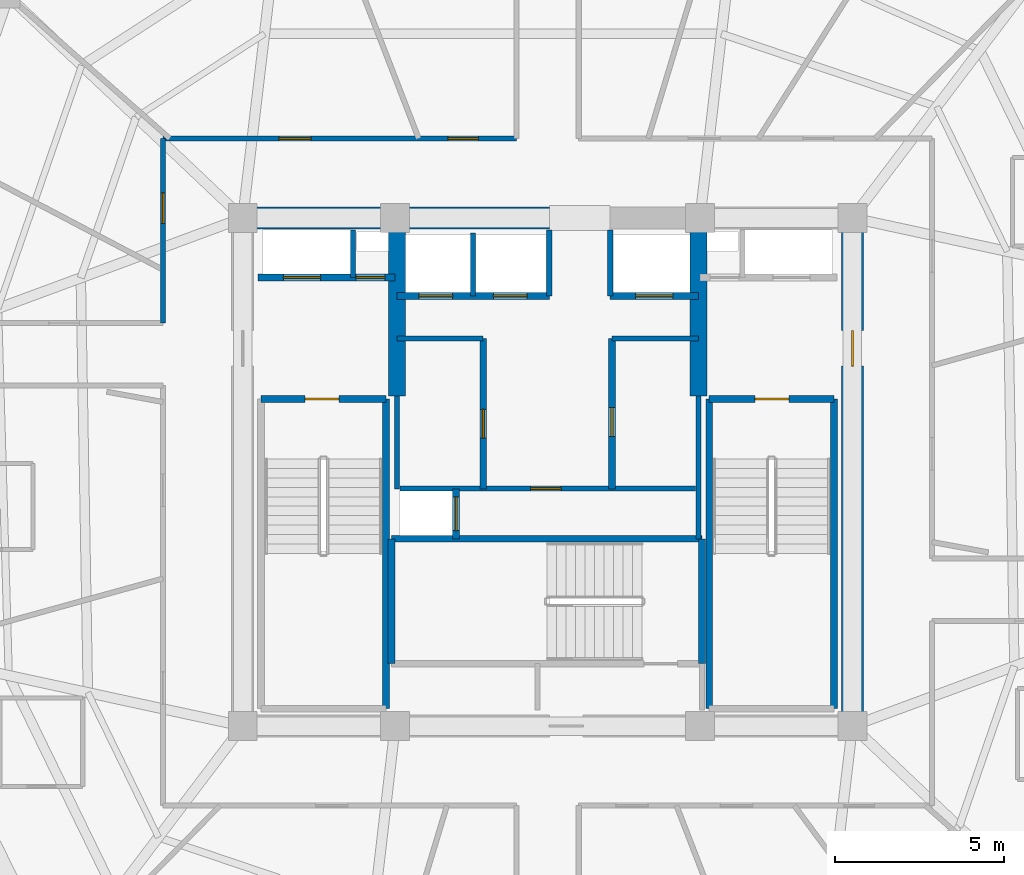
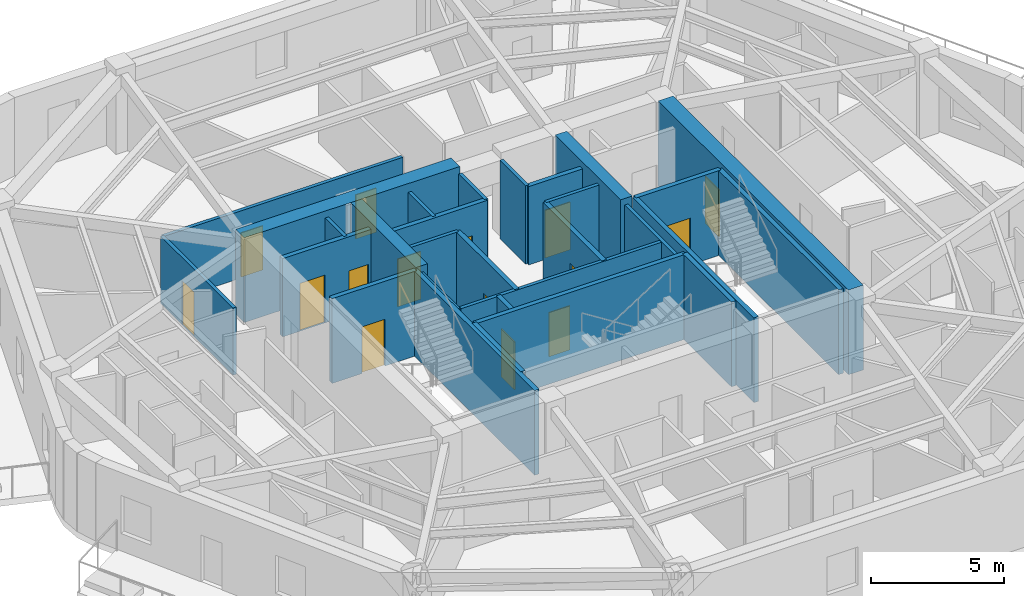
# One storey, part 4 of 9: 29 walls, 15 doors, 15 openings.
"""IFC4 building model written with IfcOpenShell, lengths in metres."""

from ifc_helpers import new_model, si_unit, direction, frame, frame_2d, origin, place, context, subcontext, project, spatial, rectangle, extrude, material, layer, layer_set, type_object, element, fill, save


model = new_model("IFC4")

# Units and contexts
model_context = context("Model", 3, precision=1e-05, world=origin(), true_north=direction((0.0, 1.0)))
body_context = subcontext(model_context, "Body", "Model", "MODEL_VIEW")
ifc_project = project(units=[si_unit("LENGTHUNIT", "METRE"), si_unit("AREAUNIT", "SQUARE_METRE"), si_unit("VOLUMEUNIT", "CUBIC_METRE"), si_unit("PLANEANGLEUNIT", "RADIAN"), si_unit("MASSUNIT", "GRAM", prefix="KILO")], contexts=[model_context])

# Site, building, storey
site_placement = place(None, origin())
site = spatial("IfcSite", under=ifc_project, at=site_placement, CompositionType="ELEMENT")
building_placement = place(site_placement, origin())
building = spatial("IfcBuilding", under=site, at=building_placement, Name="Kilnhurst Terrace Hotel", CompositionType="ELEMENT")
storey_placement = place(building_placement, frame((0.0, 0.0, 276.89990234375)))
storey = spatial("IfcBuildingStorey", under=building, at=storey_placement, Name="L69", CompositionType="ELEMENT", Elevation=276.89990234375)

# Wall, opening, door
ifc_material_1 = material(Name="Acoustic Double-Gypsum Corridor Partition Assembly")
ifc_layer_1 = layer(ifc_material_1, 0.14990234375, Name="Acoustic Double-Gypsum Corridor Partition Assembly")
ifc_layer_set_1 = layer_set([ifc_layer_1], Name="Acoustic Double-Gypsum Corridor Partition Assembly")
wall_type_1 = type_object("IfcWallType", Name="WL-COR-150", PredefinedType="PARTITIONING", material=ifc_layer_set_1)
wall_1_placement = place(storey_placement, frame((-11.35009765625, 4.39990234375, 0.0), z_axis=(0.0, 0.0, 1.0), x_axis=(0.0, 1.0, 0.0)))
wall_1 = element("IfcWall", 1, at=wall_1_placement, inside=storey, type_object=wall_type_1, Name="L69 Interior Wall WL-L69-COR-05", PredefinedType="PARTITIONING", context=body_context, shape_type="SweptSolid", body=[
    extrude(rectangle(XDim=5.4501953125, YDim=0.14990234375, at=frame_2d((2.72509765625, 0.0))), origin(), (0.0, 0.0, 1.0), 3.090087890625),
])
opening_1_placement = place(wall_1_placement, frame((2.93994140625, 0.0, 0.0)))
opening_1 = element("IfcOpeningElement", 2, at=opening_1_placement, cuts=wall_1, Name="Opening D-60C", PredefinedType="OPENING", context=body_context, shape_type="SweptSolid", body=[
    extrude(rectangle(XDim=0.89990234375, YDim=2.030029296875, at=frame_2d((0.449951171875, 1.01513671875))), frame((0.0, 0.0849609375, 0.0), z_axis=(0.0, -1.0, 0.0), x_axis=(1.0, 0.0, 0.0)), (0.0, 0.0, 1.0), 0.169921875),
])
ifc_material_2 = material(Name="Painted Solid-Core Service Fire Door")
door_type_1 = type_object("IfcDoorType", Name="DR-FD60-900", OperationType="NOTDEFINED", PredefinedType="DOOR", material=ifc_material_2)
door_1_placement = place(opening_1_placement, origin())
door_1 = element("IfcDoor", 3, at=door_1_placement, inside=storey, type_object=door_type_1, Name="L69 Botanical Reading Lounge Door 6", OperationType="SINGLE_SWING_RIGHT", OverallHeight=2.030029296875, OverallWidth=0.89990234375, PredefinedType="DOOR", context=body_context, shape_type="SweptSolid", body=[
    extrude(rectangle(XDim=0.89990234375, YDim=2.030029296875, at=frame_2d((0.449951171875, 1.01513671875))), frame((0.0, 0.02490234375, 0.0), z_axis=(0.0, -1.0, 0.0), x_axis=(1.0, 0.0, 0.0)), (0.0, 0.0, 1.0), 0.050048828125),
])
fill(opening_1, door_1)

# Wall, openings, doors
wall_2_placement = place(storey_placement, frame((-11.35009765625, 9.85009765625, 0.0), z_axis=(0.0, 0.0, 1.0), x_axis=(1.0, 0.0, 0.0)))
wall_2 = element("IfcWall", 4, at=wall_2_placement, inside=storey, type_object=wall_type_1, Name="L69 Interior Wall WL-L69-COR-06", PredefinedType="PARTITIONING", context=body_context, shape_type="SweptSolid", body=[
    extrude(rectangle(XDim=10.43017578125, YDim=0.14990234375, at=frame_2d((5.215087890625, 0.0))), origin(), (0.0, 0.0, 1.0), 3.090087890625),
])
opening_2_placement = place(wall_2_placement, frame((8.406982421875, 0.0, 0.0)))
opening_2 = element("IfcOpeningElement", 5, at=opening_2_placement, cuts=wall_2, Name="Opening D-60C", PredefinedType="OPENING", context=body_context, shape_type="SweptSolid", body=[
    extrude(rectangle(XDim=0.89990234375, YDim=2.030029296875, at=frame_2d((0.449951171875, 1.01513671875))), frame((0.0, 0.0849609375, 0.0), z_axis=(0.0, -1.0, 0.0), x_axis=(1.0, 0.0, 0.0)), (0.0, 0.0, 1.0), 0.169921875),
])
opening_3_placement = place(wall_2_placement, frame((3.416015625, 0.0, 0.0)))
opening_3 = element("IfcOpeningElement", 6, at=opening_3_placement, cuts=wall_2, Name="Opening D-60B", PredefinedType="OPENING", context=body_context, shape_type="SweptSolid", body=[
    extrude(rectangle(XDim=0.949951171875, YDim=2.030029296875, at=frame_2d((0.47509765625, 1.01513671875))), frame((0.0, 0.0849609375, 0.0), z_axis=(0.0, -1.0, 0.0), x_axis=(1.0, 0.0, 0.0)), (0.0, 0.0, 1.0), 0.169921875),
])
door_2_placement = place(opening_2_placement, origin())
door_2 = element("IfcDoor", 7, at=door_2_placement, inside=storey, type_object=door_type_1, Name="L69 Executive Work Office Door 4", OperationType="SINGLE_SWING_RIGHT", OverallHeight=2.030029296875, OverallWidth=0.89990234375, PredefinedType="DOOR", context=body_context, shape_type="SweptSolid", body=[
    extrude(rectangle(XDim=0.89990234375, YDim=2.030029296875, at=frame_2d((0.449951171875, 1.01513671875))), frame((0.0, 0.02490234375, 0.0), z_axis=(0.0, -1.0, 0.0), x_axis=(1.0, 0.0, 0.0)), (0.0, 0.0, 1.0), 0.050048828125),
])
fill(opening_2, door_2)
ifc_material_3 = material(Name="Acoustic Walnut Veneer Solid-Core Fire Door")
door_type_2 = type_object("IfcDoorType", Name="DR-FD60-950", OperationType="NOTDEFINED", PredefinedType="DOOR", material=ifc_material_3)
door_3_placement = place(opening_3_placement, origin())
door_3 = element("IfcDoor", 8, at=door_3_placement, inside=storey, type_object=door_type_2, Name="L69 Fitness Studio Door", OperationType="SINGLE_SWING_LEFT", OverallHeight=2.030029296875, OverallWidth=0.949951171875, PredefinedType="DOOR", context=body_context, shape_type="SweptSolid", body=[
    extrude(rectangle(XDim=0.949951171875, YDim=2.030029296875, at=frame_2d((0.47509765625, 1.01513671875))), frame((0.0, 0.02490234375, 0.0), z_axis=(0.0, -1.0, 0.0), x_axis=(1.0, 0.0, 0.0)), (0.0, 0.0, 1.0), 0.050048828125),
])
fill(opening_3, door_3)

# Wall
ifc_material_4 = material(Name="Concrete C60/75", Category="concrete")
ifc_layer_2 = layer(ifc_material_4, 0.64990234375, Name="Concrete C60/75")
ifc_layer_set_2 = layer_set([ifc_layer_2], Name="Concrete C60/75")
wall_type_2 = type_object("IfcWallType", Name="WL-CORE-650", PredefinedType="SHEAR", material=ifc_layer_set_2)
wall_3_placement = place(storey_placement, frame((-9.324951171875, 7.5, 0.0), z_axis=(0.0, 0.0, 1.0), x_axis=(1.0, 0.0, 0.0)))
element("IfcWall", 9, at=wall_3_placement, inside=storey, type_object=wall_type_2, Name="L69 Core North West Shear Wall", PredefinedType="SHEAR", context=body_context, shape_type="SweptSolid", body=[
    extrude(rectangle(XDim=9.375, YDim=0.64990234375, at=frame_2d((4.6875, 0.0))), origin(), (0.0, 0.0, 1.0), 3.900146484375),
])

# Wall, opening, door
wall_4_placement = place(storey_placement, frame((9.0, -7.175048828125, 0.0), z_axis=(0.0, 0.0, 1.0), x_axis=(0.0, 1.0, 0.0)))
wall_4 = element("IfcWall", 10, at=wall_4_placement, inside=storey, type_object=wall_type_2, Name="L69 Core East Shear Wall", PredefinedType="SHEAR", context=body_context, shape_type="SweptSolid", body=[
    extrude(rectangle(XDim=14.35009765625, YDim=0.64990234375, at=frame_2d((7.175048828125, 0.0))), origin(), (0.0, 0.0, 1.0), 3.900146484375),
])
opening_4_placement = place(wall_4_placement, frame((10.300048828125, 0.0, 0.0)))
opening_4 = element("IfcOpeningElement", 11, at=opening_4_placement, cuts=wall_4, Name="Opening D-90A", PredefinedType="OPENING", context=body_context, shape_type="SweptSolid", body=[
    extrude(rectangle(XDim=1.050048828125, YDim=2.14990234375, at=frame_2d((0.52490234375, 1.074951171875))), frame((0.0, 0.3349609375, 0.0), z_axis=(0.0, -1.0, 0.0), x_axis=(1.0, 0.0, 0.0)), (0.0, 0.0, 1.0), 0.669921875),
])
ifc_material_5 = material(Name="Painted Hollow Metal Steel ASTM A36 Fire Door", Category="steel")
door_type_3 = type_object("IfcDoorType", Name="DR-FD90-1050", OperationType="NOTDEFINED", PredefinedType="DOOR", material=ifc_material_5)
door_4_placement = place(opening_4_placement, origin())
door_4 = element("IfcDoor", 12, at=door_4_placement, inside=storey, type_object=door_type_3, Name="L69 East Firefighting Lobby Door", OperationType="SINGLE_SWING_LEFT", OverallHeight=2.14990234375, OverallWidth=1.050048828125, PredefinedType="DOOR", context=body_context, shape_type="SweptSolid", body=[
    extrude(rectangle(XDim=1.050048828125, YDim=2.14990234375, at=frame_2d((0.52490234375, 1.074951171875))), frame((0.0, 0.02490234375, 0.0), z_axis=(0.0, -1.0, 0.0), x_axis=(1.0, 0.0, 0.0)), (0.0, 0.0, 1.0), 0.050048828125),
])
fill(opening_4, door_4)

# Walls
ifc_layer_3 = layer(ifc_material_4, 0.5, Name="Concrete C60/75")
ifc_layer_set_3 = layer_set([ifc_layer_3], Name="Concrete C60/75")
wall_type_3 = type_object("IfcWallType", Name="WL-CORE-WEB-500", PredefinedType="SHEAR", material=ifc_layer_set_3)
for number, where, z_axis, x_axis, name in (
    (13, (-4.449951171875, 2.25, 0.0), (0.0, 0.0, 1.0), (0.0, 1.0, 0.0), "L69 Core Internal West Shear Web"),
    (14, (4.449951171875, 2.25, 0.0), (0.0, 0.0, 1.0), (0.0, 1.0, 0.0), "L69 Core Internal East Shear Web"),
):
    element("IfcWall", number, at=place(storey_placement, frame(where, z_axis=z_axis, x_axis=x_axis)), inside=storey, type_object=wall_type_3, Name=name, PredefinedType="SHEAR", context=body_context, shape_type="SweptSolid", body=[
        extrude(rectangle(XDim=4.925048828125, YDim=0.5, at=frame_2d((2.46240234375, 0.0))), origin(), (0.0, 0.0, 1.0), 3.900146484375),
    ])
ifc_material_6 = material(Name="Fire-Rated Gypsum Shaftliner Assembly")
ifc_layer_4 = layer(ifc_material_6, 0.14990234375, Name="Fire-Rated Gypsum Shaftliner Assembly")
ifc_layer_set_4 = layer_set([ifc_layer_4], Name="Fire-Rated Gypsum Shaftliner Assembly")
wall_type_4 = type_object("IfcWallType", Name="WL-SHAFT-150", PredefinedType="PARTITIONING", material=ifc_layer_set_4)
wall_5_placement = place(storey_placement, frame((-5.75, 5.739990234375, 0.0), z_axis=(0.0, 0.0, 1.0), x_axis=(0.0, 1.0, 0.0)))
element("IfcWall", 15, at=wall_5_placement, inside=storey, type_object=wall_type_4, Name="L69 Interior Wall WL-L69-RIS1-DIV", PredefinedType="PARTITIONING", context=body_context, shape_type="SweptSolid", body=[
    extrude(rectangle(XDim=1.409912109375, YDim=0.14990234375, at=frame_2d((0.705078125, 0.0))), origin(), (0.0, 0.0, 1.0), 3.60009765625),
])
wall_6_placement = place(storey_placement, frame((-2.199951171875, 5.199951171875, 0.0), z_axis=(0.0, 0.0, 1.0), x_axis=(0.0, 1.0, 0.0)))
element("IfcWall", 16, at=wall_6_placement, inside=storey, type_object=wall_type_4, Name="L69 Interior Wall WL-L69-HR-DIV1", PredefinedType="PARTITIONING", context=body_context, shape_type="SweptSolid", body=[
    extrude(rectangle(XDim=1.85009765625, YDim=0.14990234375, at=frame_2d((0.925048828125, 0.0))), origin(), (0.0, 0.0, 1.0), 3.60009765625),
])
for number, where, z_axis, x_axis, name in (
    (17, (0.050048828125, 5.199951171875, 0.0), (0.0, 0.0, 1.0), (0.0, 1.0, 0.0), "L69 Interior Wall WL-L69-HR-PORTAL-W"),
    (18, (1.85009765625, 5.199951171875, 0.0), (0.0, 0.0, 1.0), (0.0, 1.0, 0.0), "L69 Interior Wall WL-L69-HR-PORTAL-E"),
):
    element("IfcWall", number, at=place(storey_placement, frame(where, z_axis=z_axis, x_axis=x_axis)), inside=storey, type_object=wall_type_4, Name=name, PredefinedType="PARTITIONING", context=body_context, shape_type="SweptSolid", body=[
        extrude(rectangle(XDim=1.949951171875, YDim=0.14990234375, at=frame_2d((0.97509765625, 0.0))), origin(), (0.0, 0.0, 1.0), 3.60009765625),
    ])
wall_7_placement = place(storey_placement, frame((-4.449951171875, -0.5, 0.0), z_axis=(0.0, 0.0, 1.0), x_axis=(0.0, 1.0, 0.0)))
element("IfcWall", 19, at=wall_7_placement, inside=storey, type_object=wall_type_4, Name="L69 Interior Wall WL-L69-XLOB-W", PredefinedType="PARTITIONING", context=body_context, shape_type="SweptSolid", body=[
    extrude(rectangle(XDim=2.75, YDim=0.14990234375, at=frame_2d((1.375, 0.0))), origin(), (0.0, 0.0, 1.0), 3.60009765625),
])
wall_8_placement = place(storey_placement, frame((4.449951171875, -1.971923828125, 0.0), z_axis=(0.0, 0.0, 1.0), x_axis=(0.0, 1.0, 0.0)))
element("IfcWall", 20, at=wall_8_placement, inside=storey, type_object=wall_type_4, Name="L69 Interior Wall WL-L69-XLOB-E", PredefinedType="PARTITIONING", context=body_context, shape_type="SweptSolid", body=[
    extrude(rectangle(XDim=4.221923828125, YDim=0.14990234375, at=frame_2d((2.11083984375, 0.0))), origin(), (0.0, 0.0, 1.0), 3.60009765625),
])
for number, where, z_axis, x_axis, name in (
    (21, (-4.449951171875, 3.93994140625, 0.0), (0.0, 0.0, 1.0), (1.0, 0.0, 0.0), "L69 Interior Wall WL-L69-LR-NORTH"),
    (22, (1.89990234375, 3.93994140625, 0.0), (0.0, 0.0, 1.0), (1.0, 0.0, 0.0), "L69 Interior Wall WL-L69-MR-NORTH"),
):
    element("IfcWall", number, at=place(storey_placement, frame(where, z_axis=z_axis, x_axis=x_axis)), inside=storey, type_object=wall_type_4, Name=name, PredefinedType="PARTITIONING", context=body_context, shape_type="SweptSolid", body=[
        extrude(rectangle(XDim=2.550048828125, YDim=0.14990234375, at=frame_2d((1.27490234375, 0.0))), origin(), (0.0, 0.0, 1.0), 3.60009765625),
    ])

# Wall, opening, door
wall_9_placement = place(storey_placement, frame((-4.360107421875, -0.489990234375, 0.0), z_axis=(0.0, 0.0, 1.0), x_axis=(1.0, 0.0, 0.0)))
wall_9 = element("IfcWall", 23, at=wall_9_placement, inside=storey, type_object=wall_type_4, Name="L69 Interior Wall WL-L69-BOH-N", PredefinedType="PARTITIONING", context=body_context, shape_type="SweptSolid", body=[
    extrude(rectangle(XDim=8.72021484375, YDim=0.14990234375, at=frame_2d((4.360107421875, 0.0))), origin(), (0.0, 0.0, 1.0), 3.60009765625),
])
opening_5_placement = place(wall_9_placement, frame((3.860107421875, 0.0, 0.0)))
opening_5 = element("IfcOpeningElement", 24, at=opening_5_placement, cuts=wall_9, Name="Opening D-60C", PredefinedType="OPENING", context=body_context, shape_type="SweptSolid", body=[
    extrude(rectangle(XDim=0.89990234375, YDim=2.030029296875, at=frame_2d((0.449951171875, 1.01513671875))), frame((0.0, 0.0849609375, 0.0), z_axis=(0.0, -1.0, 0.0), x_axis=(1.0, 0.0, 0.0)), (0.0, 0.0, 1.0), 0.169921875),
])
door_5_placement = place(opening_5_placement, origin())
door_5 = element("IfcDoor", 25, at=door_5_placement, inside=storey, type_object=door_type_1, Name="L69 Housekeeping Laundry Door", OperationType="SINGLE_SWING_LEFT", OverallHeight=2.030029296875, OverallWidth=0.89990234375, PredefinedType="DOOR", context=body_context, shape_type="SweptSolid", body=[
    extrude(rectangle(XDim=0.89990234375, YDim=2.030029296875, at=frame_2d((0.449951171875, 1.01513671875))), frame((0.0, 0.02490234375, 0.0), z_axis=(0.0, -1.0, 0.0), x_axis=(1.0, 0.0, 0.0)), (0.0, 0.0, 1.0), 0.050048828125),
])
fill(opening_5, door_5)

# Wall, openings, doors
ifc_material_7 = material(Name="Autoclaved Aerated Concrete C30/37 and Gypsum Shaft Assembly", Category="concrete")
ifc_layer_5 = layer(ifc_material_7, 0.199951171875, Name="Autoclaved Aerated Concrete C30/37 and Gypsum Shaft Assembly")
ifc_layer_set_5 = layer_set([ifc_layer_5], Name="Autoclaved Aerated Concrete C30/37 and Gypsum Shaft Assembly")
wall_type_5 = type_object("IfcWallType", Name="WL-SHAFT-200", PredefinedType="PARTITIONING", material=ifc_layer_set_5)
wall_10_placement = place(storey_placement, frame((-8.550048828125, 5.739990234375, 0.0), z_axis=(0.0, 0.0, 1.0), x_axis=(1.0, 0.0, 0.0)))
wall_10 = element("IfcWall", 26, at=wall_10_placement, inside=storey, type_object=wall_type_5, Name="L69 Interior Wall WL-L69-FSAE1-S", PredefinedType="PARTITIONING", context=body_context, shape_type="SweptSolid", body=[
    extrude(rectangle(XDim=4.050048828125, YDim=0.199951171875, at=frame_2d((2.02490234375, 0.0))), origin(), (0.0, 0.0, 1.0), 3.60009765625),
])
opening_6_placement = place(wall_10_placement, frame((0.75, 0.0, 0.0)))
opening_6 = element("IfcOpeningElement", 27, at=opening_6_placement, cuts=wall_10, Name="Opening LD-F1", PredefinedType="OPENING", context=body_context, shape_type="SweptSolid", body=[
    extrude(rectangle(XDim=1.10009765625, YDim=2.199951171875, at=frame_2d((0.550048828125, 1.10009765625))), frame((0.0, 0.10986328125, 0.0), z_axis=(0.0, -1.0, 0.0), x_axis=(1.0, 0.0, 0.0)), (0.0, 0.0, 1.0), 0.219970703125),
])
opening_7_placement = place(wall_10_placement, frame((2.89990234375, 0.0, 0.0)))
opening_7 = element("IfcOpeningElement", 28, at=opening_7_placement, cuts=wall_10, Name="Opening D-60D", PredefinedType="OPENING", context=body_context, shape_type="SweptSolid", body=[
    extrude(rectangle(XDim=0.85009765625, YDim=2.030029296875, at=frame_2d((0.425048828125, 1.01513671875))), frame((0.0, 0.10986328125, 0.0), z_axis=(0.0, -1.0, 0.0), x_axis=(1.0, 0.0, 0.0)), (0.0, 0.0, 1.0), 0.219970703125),
])
ifc_material_8 = material(Name="Painted Hollow Metal Steel ASTM A36 Riser Door", Category="steel")
door_type_4 = type_object("IfcDoorType", Name="DR-FD60-850", OperationType="NOTDEFINED", PredefinedType="DOOR", material=ifc_material_8)
door_6_placement = place(opening_7_placement, origin())
door_6 = element("IfcDoor", 29, at=door_6_placement, inside=storey, type_object=door_type_4, Name="L69 Electrical Riser Door", OperationType="SINGLE_SWING_LEFT", OverallHeight=2.030029296875, OverallWidth=0.85009765625, PredefinedType="DOOR", context=body_context, shape_type="SweptSolid", body=[
    extrude(rectangle(XDim=0.85009765625, YDim=2.030029296875, at=frame_2d((0.425048828125, 1.01513671875))), frame((0.0, 0.02490234375, 0.0), z_axis=(0.0, -1.0, 0.0), x_axis=(1.0, 0.0, 0.0)), (0.0, 0.0, 1.0), 0.050048828125),
])
fill(opening_7, door_6)
ifc_material_9 = material(Name="Bronze-Anodized Stainless Steel AISI 316L Sliding Door", Category="steel")
door_type_5 = type_object("IfcDoorType", Name="DR-LIFT-1100", OperationType="NOTDEFINED", PredefinedType="DOOR", material=ifc_material_9)
door_7_placement = place(opening_6_placement, origin())
door_7 = element("IfcDoor", 30, at=door_7_placement, inside=storey, type_object=door_type_5, Name="L69 FSAE-1 Landing Door", OperationType="SLIDING_TO_LEFT", OverallHeight=2.199951171875, OverallWidth=1.10009765625, PredefinedType="DOOR", context=body_context, shape_type="SweptSolid", body=[
    extrude(rectangle(XDim=1.10009765625, YDim=2.199951171875, at=frame_2d((0.550048828125, 1.10009765625))), frame((0.0, 0.02490234375, 0.0), z_axis=(0.0, -1.0, 0.0), x_axis=(1.0, 0.0, 0.0)), (0.0, 0.0, 1.0), 0.050048828125),
])
fill(opening_6, door_7)

# Wall, opening, door
wall_11_placement = place(storey_placement, frame((-2.699951171875, -1.971923828125, 0.0), z_axis=(0.0, 0.0, 1.0), x_axis=(0.0, 1.0, 0.0)))
wall_11 = element("IfcWall", 31, at=wall_11_placement, inside=storey, type_object=wall_type_5, Name="L69 Interior Wall WL-L69-SRV1-E", PredefinedType="PARTITIONING", context=body_context, shape_type="SweptSolid", body=[
    extrude(rectangle(XDim=1.471923828125, YDim=0.199951171875, at=frame_2d((0.73583984375, 0.0))), origin(), (0.0, 0.0, 1.0), 3.60009765625),
])
opening_8_placement = place(wall_11_placement, frame((0.239990234375, 0.0, 0.0)))
opening_8 = element("IfcOpeningElement", 32, at=opening_8_placement, cuts=wall_11, Name="Opening LD-SV", PredefinedType="OPENING", context=body_context, shape_type="SweptSolid", body=[
    extrude(rectangle(XDim=1.0, YDim=2.199951171875, at=frame_2d((0.5, 1.10009765625))), frame((0.0, 0.10986328125, 0.0), z_axis=(0.0, -1.0, 0.0), x_axis=(1.0, 0.0, 0.0)), (0.0, 0.0, 1.0), 0.219970703125),
])
door_type_6 = type_object("IfcDoorType", Name="DR-LIFT-1000", OperationType="NOTDEFINED", PredefinedType="DOOR", material=ifc_material_9)
door_8_placement = place(opening_8_placement, origin())
door_8 = element("IfcDoor", 33, at=door_8_placement, inside=storey, type_object=door_type_6, Name="L69 Service Lift SRV-1 Landing Door", OperationType="SLIDING_TO_LEFT", OverallHeight=2.199951171875, OverallWidth=1.0, PredefinedType="DOOR", context=body_context, shape_type="SweptSolid", body=[
    extrude(rectangle(XDim=1.0, YDim=2.199951171875, at=frame_2d((0.5, 1.10009765625))), frame((0.0, 0.02490234375, 0.0), z_axis=(0.0, -1.0, 0.0), x_axis=(1.0, 0.0, 0.0)), (0.0, 0.0, 1.0), 0.050048828125),
])
fill(opening_8, door_8)

# Wall, openings, doors
wall_12_placement = place(storey_placement, frame((-4.449951171875, 5.199951171875, 0.0), z_axis=(0.0, 0.0, 1.0), x_axis=(1.0, 0.0, 0.0)))
wall_12 = element("IfcWall", 34, at=wall_12_placement, inside=storey, type_object=wall_type_5, Name="L69 Interior Wall WL-L69-HR-SW", PredefinedType="PARTITIONING", context=body_context, shape_type="SweptSolid", body=[
    extrude(rectangle(XDim=4.5, YDim=0.199951171875, at=frame_2d((2.25, 0.0))), origin(), (0.0, 0.0, 1.0), 3.60009765625),
])
opening_9_placement = place(wall_12_placement, frame((0.64990234375, 0.0, 0.0)))
opening_9 = element("IfcOpeningElement", 35, at=opening_9_placement, cuts=wall_12, Name="Opening LD-HR", PredefinedType="OPENING", context=body_context, shape_type="SweptSolid", body=[
    extrude(rectangle(XDim=1.0, YDim=2.199951171875, at=frame_2d((0.5, 1.10009765625))), frame((0.0, 0.10986328125, 0.0), z_axis=(0.0, -1.0, 0.0), x_axis=(1.0, 0.0, 0.0)), (0.0, 0.0, 1.0), 0.219970703125),
])
opening_10_placement = place(wall_12_placement, frame((2.85009765625, 0.0, 0.0)))
opening_10 = element("IfcOpeningElement", 36, at=opening_10_placement, cuts=wall_12, Name="Opening LD-HS", PredefinedType="OPENING", context=body_context, shape_type="SweptSolid", body=[
    extrude(rectangle(XDim=1.0, YDim=2.199951171875, at=frame_2d((0.5, 1.10009765625))), frame((0.0, 0.10986328125, 0.0), z_axis=(0.0, -1.0, 0.0), x_axis=(1.0, 0.0, 0.0)), (0.0, 0.0, 1.0), 0.219970703125),
])
door_9_placement = place(opening_9_placement, origin())
door_9 = element("IfcDoor", 37, at=door_9_placement, inside=storey, type_object=door_type_6, Name="L69 High Rise Lift HR-1 Landing Door", OperationType="SLIDING_TO_LEFT", OverallHeight=2.199951171875, OverallWidth=1.0, PredefinedType="DOOR", context=body_context, shape_type="SweptSolid", body=[
    extrude(rectangle(XDim=1.0, YDim=2.199951171875, at=frame_2d((0.5, 1.10009765625))), frame((0.0, 0.02490234375, 0.0), z_axis=(0.0, -1.0, 0.0), x_axis=(1.0, 0.0, 0.0)), (0.0, 0.0, 1.0), 0.050048828125),
])
fill(opening_9, door_9)
door_10_placement = place(opening_10_placement, origin())
door_10 = element("IfcDoor", 38, at=door_10_placement, inside=storey, type_object=door_type_6, Name="L69 High Rise Lift HR-3 Landing Door", OperationType="SLIDING_TO_RIGHT", OverallHeight=2.199951171875, OverallWidth=1.0, PredefinedType="DOOR", context=body_context, shape_type="SweptSolid", body=[
    extrude(rectangle(XDim=1.0, YDim=2.199951171875, at=frame_2d((0.5, 1.10009765625))), frame((0.0, 0.02490234375, 0.0), z_axis=(0.0, -1.0, 0.0), x_axis=(1.0, 0.0, 0.0)), (0.0, 0.0, 1.0), 0.050048828125),
])
fill(opening_10, door_10)

# Wall, opening, door
wall_13_placement = place(storey_placement, frame((1.85009765625, 5.199951171875, 0.0), z_axis=(0.0, 0.0, 1.0), x_axis=(1.0, 0.0, 0.0)))
wall_13 = element("IfcWall", 39, at=wall_13_placement, inside=storey, type_object=wall_type_5, Name="L69 Interior Wall WL-L69-HR-SE", PredefinedType="PARTITIONING", context=body_context, shape_type="SweptSolid", body=[
    extrude(rectangle(XDim=2.599853515625, YDim=0.199951171875, at=frame_2d((1.2998046875, 0.0))), origin(), (0.0, 0.0, 1.0), 3.60009765625),
])
opening_11_placement = place(wall_13_placement, frame((0.75, 0.0, 0.0)))
opening_11 = element("IfcOpeningElement", 40, at=opening_11_placement, cuts=wall_13, Name="Opening LD-H2", PredefinedType="OPENING", context=body_context, shape_type="SweptSolid", body=[
    extrude(rectangle(XDim=1.10009765625, YDim=2.199951171875, at=frame_2d((0.550048828125, 1.10009765625))), frame((0.0, 0.10986328125, 0.0), z_axis=(0.0, -1.0, 0.0), x_axis=(1.0, 0.0, 0.0)), (0.0, 0.0, 1.0), 0.219970703125),
])
door_11_placement = place(opening_11_placement, origin())
door_11 = element("IfcDoor", 41, at=door_11_placement, inside=storey, type_object=door_type_5, Name="L69 High Rise Lift HR-2 Landing Door", OperationType="SLIDING_TO_RIGHT", OverallHeight=2.199951171875, OverallWidth=1.10009765625, PredefinedType="DOOR", context=body_context, shape_type="SweptSolid", body=[
    extrude(rectangle(XDim=1.10009765625, YDim=2.199951171875, at=frame_2d((0.550048828125, 1.10009765625))), frame((0.0, 0.02490234375, 0.0), z_axis=(0.0, -1.0, 0.0), x_axis=(1.0, 0.0, 0.0)), (0.0, 0.0, 1.0), 0.050048828125),
])
fill(opening_11, door_11)

wall_14_placement = place(storey_placement, frame((-1.89990234375, -0.5, 0.0), z_axis=(0.0, 0.0, 1.0), x_axis=(0.0, 1.0, 0.0)))
wall_14 = element("IfcWall", 42, at=wall_14_placement, inside=storey, type_object=wall_type_5, Name="L69 Interior Wall WL-L69-LR-FRONT", PredefinedType="PARTITIONING", context=body_context, shape_type="SweptSolid", body=[
    extrude(rectangle(XDim=4.43994140625, YDim=0.199951171875, at=frame_2d((2.219970703125, 0.0))), origin(), (0.0, 0.0, 1.0), 3.60009765625),
])
opening_12_placement = place(wall_14_placement, frame((1.5, 0.0, 0.0)))
opening_12 = element("IfcOpeningElement", 43, at=opening_12_placement, cuts=wall_14, Name="Opening D-60D", PredefinedType="OPENING", context=body_context, shape_type="SweptSolid", body=[
    extrude(rectangle(XDim=0.85009765625, YDim=2.030029296875, at=frame_2d((0.425048828125, 1.01513671875))), frame((0.0, 0.10986328125, 0.0), z_axis=(0.0, -1.0, 0.0), x_axis=(1.0, 0.0, 0.0)), (0.0, 0.0, 1.0), 0.219970703125),
])
door_12_placement = place(opening_12_placement, origin())
door_12 = element("IfcDoor", 44, at=door_12_placement, inside=storey, type_object=door_type_4, Name="L69 Reclaimed Linen Room Door", OperationType="SINGLE_SWING_LEFT", OverallHeight=2.030029296875, OverallWidth=0.85009765625, PredefinedType="DOOR", context=body_context, shape_type="SweptSolid", body=[
    extrude(rectangle(XDim=0.85009765625, YDim=2.030029296875, at=frame_2d((0.425048828125, 1.01513671875))), frame((0.0, 0.02490234375, 0.0), z_axis=(0.0, -1.0, 0.0), x_axis=(1.0, 0.0, 0.0)), (0.0, 0.0, 1.0), 0.050048828125),
])
fill(opening_12, door_12)

wall_15_placement = place(storey_placement, frame((1.89990234375, -0.5, 0.0), z_axis=(0.0, 0.0, 1.0), x_axis=(0.0, 1.0, 0.0)))
wall_15 = element("IfcWall", 45, at=wall_15_placement, inside=storey, type_object=wall_type_5, Name="L69 Interior Wall WL-L69-MR-FRONT", PredefinedType="PARTITIONING", context=body_context, shape_type="SweptSolid", body=[
    extrude(rectangle(XDim=4.43994140625, YDim=0.199951171875, at=frame_2d((2.219970703125, 0.0))), origin(), (0.0, 0.0, 1.0), 3.60009765625),
])
opening_13_placement = place(wall_15_placement, frame((1.550048828125, 0.0, 0.0)))
opening_13 = element("IfcOpeningElement", 46, at=opening_13_placement, cuts=wall_15, Name="Opening D-60D", PredefinedType="OPENING", context=body_context, shape_type="SweptSolid", body=[
    extrude(rectangle(XDim=0.85009765625, YDim=2.030029296875, at=frame_2d((0.425048828125, 1.01513671875))), frame((0.0, 0.10986328125, 0.0), z_axis=(0.0, -1.0, 0.0), x_axis=(1.0, 0.0, 0.0)), (0.0, 0.0, 1.0), 0.219970703125),
])
door_13_placement = place(opening_13_placement, origin())
door_13 = element("IfcDoor", 47, at=door_13_placement, inside=storey, type_object=door_type_4, Name="L69 Staff Accessible Restroom Door", OperationType="SINGLE_SWING_RIGHT", OverallHeight=2.030029296875, OverallWidth=0.85009765625, PredefinedType="DOOR", context=body_context, shape_type="SweptSolid", body=[
    extrude(rectangle(XDim=0.85009765625, YDim=2.030029296875, at=frame_2d((0.425048828125, 1.01513671875))), frame((0.0, 0.02490234375, 0.0), z_axis=(0.0, -1.0, 0.0), x_axis=(1.0, 0.0, 0.0)), (0.0, 0.0, 1.0), 0.050048828125),
])
fill(opening_13, door_13)

# Wall
ifc_material_10 = material(Name="Concrete C50/60", Category="concrete")
ifc_layer_6 = layer(ifc_material_10, 0.199951171875, Name="Concrete C50/60")
ifc_layer_set_6 = layer_set([ifc_layer_6], Name="Concrete C50/60")
wall_type_6 = type_object("IfcWallType", Name="WL-STAIR-RC-200", PredefinedType="SHEAR", material=ifc_layer_set_6)
wall_16_placement = place(storey_placement, frame((-4.77197265625, -6.985107421875, 0.0), z_axis=(0.0, 0.0, 1.0), x_axis=(0.0, 1.0, 0.0)))
element("IfcWall", 48, at=wall_16_placement, inside=storey, type_object=wall_type_6, Name="L69 Structural Stair Shaft Wall WL-L69-ST1-E", PredefinedType="SHEAR", context=body_context, shape_type="SweptSolid", body=[
    extrude(rectangle(XDim=9.14306640625, YDim=0.199951171875, at=frame_2d((4.571533203125, 0.0))), origin(), (0.0, 0.0, 1.0), 3.900146484375),
])

# Wall, opening, door
wall_17_placement = place(storey_placement, frame((-8.4580078125, 2.157958984375, 0.0), z_axis=(0.0, 0.0, 1.0), x_axis=(1.0, 0.0, 0.0)))
wall_17 = element("IfcWall", 49, at=wall_17_placement, inside=storey, type_object=wall_type_6, Name="L69 Structural Stair Shaft Wall WL-L69-ST1-N", PredefinedType="SHEAR", context=body_context, shape_type="SweptSolid", body=[
    extrude(rectangle(XDim=3.68603515625, YDim=0.199951171875, at=frame_2d((1.843017578125, 0.0))), origin(), (0.0, 0.0, 1.0), 3.900146484375),
])
opening_14_placement = place(wall_17_placement, frame((1.300048828125, 0.0, 0.0)))
opening_14 = element("IfcOpeningElement", 50, at=opening_14_placement, cuts=wall_17, Name="Opening D-90B", PredefinedType="OPENING", context=body_context, shape_type="SweptSolid", body=[
    extrude(rectangle(XDim=1.0, YDim=2.14990234375, at=frame_2d((0.5, 1.074951171875))), frame((0.0, 0.10986328125, 0.0), z_axis=(0.0, -1.0, 0.0), x_axis=(1.0, 0.0, 0.0)), (0.0, 0.0, 1.0), 0.219970703125),
])
door_type_7 = type_object("IfcDoorType", Name="DR-FD90-1000", OperationType="NOTDEFINED", PredefinedType="DOOR", material=ifc_material_5)
door_14_placement = place(opening_14_placement, origin())
door_14 = element("IfcDoor", 51, at=door_14_placement, inside=storey, type_object=door_type_7, Name="L69 Stair ST-1 Door", OperationType="SINGLE_SWING_LEFT", OverallHeight=2.14990234375, OverallWidth=1.0, PredefinedType="DOOR", context=body_context, shape_type="SweptSolid", body=[
    extrude(rectangle(XDim=1.0, YDim=2.14990234375, at=frame_2d((0.5, 1.074951171875))), frame((0.0, 0.02490234375, 0.0), z_axis=(0.0, -1.0, 0.0), x_axis=(1.0, 0.0, 0.0)), (0.0, 0.0, 1.0), 0.050048828125),
])
fill(opening_14, door_14)

# Walls
for number, where, z_axis, x_axis, name in (
    (52, (4.77197265625, -6.985107421875, 0.0), (0.0, 0.0, 1.0), (0.0, 1.0, 0.0), "L69 Structural Stair Shaft Wall WL-L69-ST2-W"),
    (53, (8.4580078125, -6.985107421875, 0.0), (0.0, 0.0, 1.0), (0.0, 1.0, 0.0), "L69 Structural Stair Shaft Wall WL-L69-ST2-E"),
):
    element("IfcWall", number, at=place(storey_placement, frame(where, z_axis=z_axis, x_axis=x_axis)), inside=storey, type_object=wall_type_6, Name=name, PredefinedType="SHEAR", context=body_context, shape_type="SweptSolid", body=[
        extrude(rectangle(XDim=9.14306640625, YDim=0.199951171875, at=frame_2d((4.571533203125, 0.0))), origin(), (0.0, 0.0, 1.0), 3.900146484375),
    ])

# Wall, opening, door
wall_18_placement = place(storey_placement, frame((4.77197265625, 2.157958984375, 0.0), z_axis=(0.0, 0.0, 1.0), x_axis=(1.0, 0.0, 0.0)))
wall_18 = element("IfcWall", 54, at=wall_18_placement, inside=storey, type_object=wall_type_6, Name="L69 Structural Stair Shaft Wall WL-L69-ST2-N", PredefinedType="SHEAR", context=body_context, shape_type="SweptSolid", body=[
    extrude(rectangle(XDim=3.68603515625, YDim=0.199951171875, at=frame_2d((1.843017578125, 0.0))), origin(), (0.0, 0.0, 1.0), 3.900146484375),
])
opening_15_placement = place(wall_18_placement, frame((1.35009765625, 0.0, 0.0)))
opening_15 = element("IfcOpeningElement", 55, at=opening_15_placement, cuts=wall_18, Name="Opening D-90B", PredefinedType="OPENING", context=body_context, shape_type="SweptSolid", body=[
    extrude(rectangle(XDim=1.0, YDim=2.14990234375, at=frame_2d((0.5, 1.074951171875))), frame((0.0, 0.10986328125, 0.0), z_axis=(0.0, -1.0, 0.0), x_axis=(1.0, 0.0, 0.0)), (0.0, 0.0, 1.0), 0.219970703125),
])
door_15_placement = place(opening_15_placement, origin())
door_15 = element("IfcDoor", 56, at=door_15_placement, inside=storey, type_object=door_type_7, Name="L69 Stair ST-2 Door", OperationType="SINGLE_SWING_RIGHT", OverallHeight=2.14990234375, OverallWidth=1.0, PredefinedType="DOOR", context=body_context, shape_type="SweptSolid", body=[
    extrude(rectangle(XDim=1.0, YDim=2.14990234375, at=frame_2d((0.5, 1.074951171875))), frame((0.0, 0.02490234375, 0.0), z_axis=(0.0, -1.0, 0.0), x_axis=(1.0, 0.0, 0.0)), (0.0, 0.0, 1.0), 0.050048828125),
])
fill(opening_15, door_15)

# Walls
wall_19_placement = place(storey_placement, frame((-4.60791015625, -5.657958984375, 0.0), z_axis=(0.0, 0.0, 1.0), x_axis=(0.0, 1.0, 0.0)))
element("IfcWall", 57, at=wall_19_placement, inside=storey, type_object=wall_type_6, Name="L69 Structural Stair Shaft Wall WL-L69-ST3-W", PredefinedType="SHEAR", context=body_context, shape_type="SweptSolid", body=[
    extrude(rectangle(XDim=3.68603515625, YDim=0.199951171875, at=frame_2d((1.843017578125, 0.0))), origin(), (0.0, 0.0, 1.0), 3.900146484375),
])
wall_20_placement = place(storey_placement, frame((-4.60791015625, -1.971923828125, 0.0), z_axis=(0.0, 0.0, 1.0), x_axis=(1.0, 0.0, 0.0)))
element("IfcWall", 58, at=wall_20_placement, inside=storey, type_object=wall_type_6, Name="L69 Structural Stair Shaft Wall WL-L69-ST3-N", PredefinedType="SHEAR", context=body_context, shape_type="SweptSolid", body=[
    extrude(rectangle(XDim=9.166015625, YDim=0.199951171875, at=frame_2d((4.5830078125, 0.0))), origin(), (0.0, 0.0, 1.0), 3.900146484375),
])
wall_21_placement = place(storey_placement, frame((4.55810546875, -5.657958984375, 0.0), z_axis=(0.0, 0.0, 1.0), x_axis=(0.0, 1.0, 0.0)))
element("IfcWall", 59, at=wall_21_placement, inside=storey, type_object=wall_type_6, Name="L69 Structural Stair Shaft Wall WL-L69-ST3-E", PredefinedType="SHEAR", context=body_context, shape_type="SweptSolid", body=[
    extrude(rectangle(XDim=3.68603515625, YDim=0.199951171875, at=frame_2d((1.843017578125, 0.0))), origin(), (0.0, 0.0, 1.0), 3.900146484375),
])

save(model, "model.ifc")
